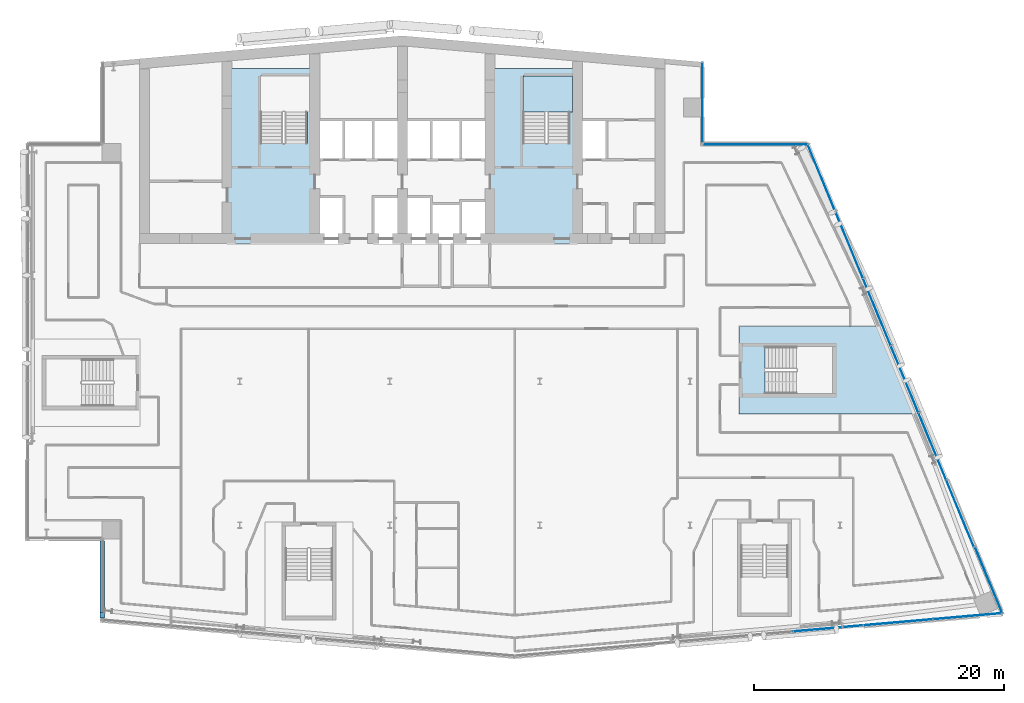
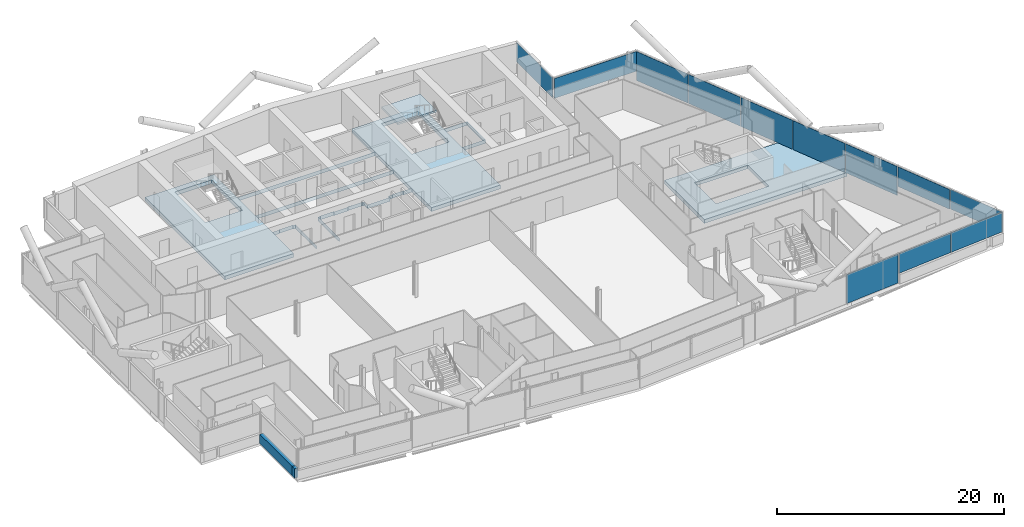
# One storey, part 13 of 28: 12 plates, 3 slabs, 2 walls, 5 elements without a shape of their own.
"""IFC4 building model written with IfcOpenShell, lengths in metres."""

from ifc_helpers import new_model, si_unit, direction, frame, frame_2d, origin, origin_2d, place, context, subcontext, project, spatial, polyline, rectangle, outline, extrude, material, layer, layer_set, type_object, element, aggregate, save


model = new_model("IFC4")

# Units and contexts
model_context = context("Model", 3, precision=1e-05, world=origin(), true_north=direction((0.0, 1.0)))
body_context = subcontext(model_context, "Body", "Model", "MODEL_VIEW")
ifc_project = project(units=[si_unit("LENGTHUNIT", "METRE"), si_unit("AREAUNIT", "SQUARE_METRE"), si_unit("VOLUMEUNIT", "CUBIC_METRE"), si_unit("PLANEANGLEUNIT", "RADIAN"), si_unit("MASSUNIT", "GRAM", prefix="KILO")], contexts=[model_context])

# Site, building, storey
site_placement = place(None, origin())
site = spatial("IfcSite", under=ifc_project, at=site_placement, CompositionType="ELEMENT")
building_placement = place(site_placement, origin())
building = spatial("IfcBuilding", under=site, at=building_placement, Name="Wharfspan Tower", CompositionType="ELEMENT")
storey_placement = place(building_placement, frame((0.0, 0.0, 187.899902)))
storey = spatial("IfcBuildingStorey", under=building, at=storey_placement, Name="L46", CompositionType="ELEMENT", Elevation=187.899902)

# Curtain wall, plates
ifc_material_1 = material(Name="Aluminium 6063-T6", Category="aluminium")
curtain_wall_type_1 = type_object("IfcCurtainWallType", Name="CURTAIN WALL FACETED FRONT", PredefinedType="NOTDEFINED", material=ifc_material_1)
curtain_wall_1_placement = place(storey_placement, origin())
curtain_wall_1 = element("IfcCurtainWall", 1, at=curtain_wall_1_placement, inside=storey, type_object=curtain_wall_type_1, Name="Curtain wall S2", PredefinedType="NOTDEFINED")
ifc_material_2 = material(Name="Glass clear low-iron double glazing", Category="glass")
ifc_layer_1 = layer(ifc_material_2, 0.040039)
ifc_layer_set_1 = layer_set([ifc_layer_1], Name="Glass clear low-iron double glazing")
plate_type_1 = type_object("IfcPlateType", Name="GLASS PANEL FACETED FRONT 40", PredefinedType="CURTAIN_PANEL", material=ifc_layer_set_1)
plate_1_placement = place(storey_placement, frame((76.637695, 3.728516, 1.0), z_axis=(0.0, 0.0, 1.0), x_axis=(0.996198, 0.087156, 0.0)))
plate_1 = element("IfcPlate", 2, at=plate_1_placement, type_object=plate_type_1, Name="Curtain wall S2 panel 6", PredefinedType="CURTAIN_PANEL", context=body_context, shape_type="SweptSolid", body=[
    extrude(rectangle(XDim=5.532715, YDim=0.040039, at=origin_2d()), origin(), (0.0, 0.0, 1.0), 2.120117),
])
plate_2_placement = place(storey_placement, frame((82.194092, 4.214844, 1.0), z_axis=(0.0, 0.0, 1.0), x_axis=(0.996198, 0.087156, 0.0)))
plate_2 = element("IfcPlate", 3, at=plate_2_placement, type_object=plate_type_1, Name="Curtain wall S2 panel 7", PredefinedType="CURTAIN_PANEL", context=body_context, shape_type="SweptSolid", body=[
    extrude(rectangle(XDim=5.502686, YDim=0.040039, at=origin_2d()), origin(), (0.0, 0.0, 1.0), 2.120117),
])

curtain_wall_type_2 = type_object("IfcCurtainWallType", Name="CURTAIN WALL PROW AND END", PredefinedType="NOTDEFINED", material=ifc_material_1)
curtain_wall_2_placement = place(storey_placement, origin())
curtain_wall_2 = element("IfcCurtainWall", 4, at=curtain_wall_2_placement, inside=storey, type_object=curtain_wall_type_2, Name="Curtain wall E", PredefinedType="NOTDEFINED")
ifc_layer_2 = layer(ifc_material_2, 0.040039)
ifc_layer_set_2 = layer_set([ifc_layer_2], Name="Glass clear low-iron double glazing")
plate_type_2 = type_object("IfcPlateType", Name="GLASS PANEL PROW AND END 40", PredefinedType="CURTAIN_PANEL", material=ifc_layer_set_2)
plate_3_placement = place(storey_placement, frame((83.885498, 7.099609, 1.0), z_axis=(0.0, 0.0, 1.0), x_axis=(-0.381602, 0.924325, 0.0)))
plate_3 = element("IfcPlate", 5, at=plate_3_placement, type_object=plate_type_2, Name="Curtain wall E panel 1", PredefinedType="CURTAIN_PANEL", context=body_context, shape_type="SweptSolid", body=[
    extrude(rectangle(XDim=5.721191, YDim=0.040039, at=origin_2d()), origin(), (0.0, 0.0, 1.0), 2.120117),
])
plate_4_placement = place(storey_placement, frame((81.599609, 12.426514, 1.0), z_axis=(0.0, 0.0, 1.0), x_axis=(-0.381602, 0.924325, 0.0)))
plate_4 = element("IfcPlate", 6, at=plate_4_placement, type_object=plate_type_2, Name="Curtain wall E panel 2", PredefinedType="CURTAIN_PANEL", context=body_context, shape_type="SweptSolid", body=[
    extrude(rectangle(XDim=5.751221, YDim=0.040039, at=origin_2d()), origin(), (0.0, 0.0, 1.0), 2.120117),
])

# Curtain wall, plate
curtain_wall_3_placement = place(storey_placement, origin())
curtain_wall_3 = element("IfcCurtainWall", 7, at=curtain_wall_3_placement, inside=storey, type_object=curtain_wall_type_2, Name="Curtain wall NRE-H", PredefinedType="NOTDEFINED")
plate_5_placement = place(storey_placement, frame((65.238525, 41.919922, 1.0), z_axis=(0.0, 0.0, 1.0), x_axis=(-1.0, 0.0, 0.0)))
plate_5 = element("IfcPlate", 8, at=plate_5_placement, type_object=plate_type_2, Name="Curtain wall NRE-H panel 1", PredefinedType="CURTAIN_PANEL", context=body_context, shape_type="SweptSolid", body=[
    extrude(rectangle(XDim=8.357178, YDim=0.040039, at=origin_2d()), origin(), (0.0, 0.0, 1.0), 2.120117),
])
aggregate(curtain_wall_3, [plate_5])

curtain_wall_4_placement = place(storey_placement, origin())
curtain_wall_4 = element("IfcCurtainWall", 9, at=curtain_wall_4_placement, inside=storey, type_object=curtain_wall_type_2, Name="Curtain wall NRE-V", PredefinedType="NOTDEFINED")
plate_6_placement = place(storey_placement, frame((61.0, 45.262451, 1.0), z_axis=(0.0, 0.0, 1.0), x_axis=(0.0, 1.0, 0.0)))
plate_6 = element("IfcPlate", 10, at=plate_6_placement, type_object=plate_type_2, Name="Curtain wall NRE-V panel 1", PredefinedType="CURTAIN_PANEL", context=body_context, shape_type="SweptSolid", body=[
    extrude(rectangle(XDim=6.405029, YDim=0.040039, at=origin_2d()), origin(), (0.0, 0.0, 1.0), 2.120117),
])
aggregate(curtain_wall_4, [plate_6])

# Plate
ifc_material_3 = material(Name="Aluminium composite opaque insulated panel", Category="aluminium")
ifc_layer_3 = layer(ifc_material_3, 0.040039)
ifc_layer_set_3 = layer_set([ifc_layer_3], Name="Aluminium composite opaque insulated panel")
plate_type_3 = type_object("IfcPlateType", Name="INFILL PANEL FACETED FRONT OPAQUE 40", PredefinedType="SHEET", material=ifc_layer_set_3)
plate_7_placement = place(storey_placement, frame((71.066162, 3.241211, 0.0), z_axis=(0.0, 0.0, 1.0), x_axis=(0.996198, 0.087156, 0.0)))
plate_7 = element("IfcPlate", 11, at=plate_7_placement, type_object=plate_type_3, Name="Curtain wall S2 panel 5", PredefinedType="SHEET", context=body_context, shape_type="SweptSolid", body=[
    extrude(rectangle(XDim=5.532715, YDim=0.040039, at=origin_2d()), origin(), (0.0, 0.0, 1.0), 3.120117),
])

aggregate(curtain_wall_1, [plate_7, plate_1, plate_2])

ifc_layer_4 = layer(ifc_material_3, 0.040039)
ifc_layer_set_4 = layer_set([ifc_layer_4], Name="Aluminium composite opaque insulated panel")
plate_type_4 = type_object("IfcPlateType", Name="INFILL PANEL PROW AND END OPAQUE 40", PredefinedType="SHEET", material=ifc_layer_set_4)
plate_8_placement = place(storey_placement, frame((79.38208, 17.798096, 0.0), z_axis=(0.0, 0.0, 1.0), x_axis=(-0.381602, 0.924325, 0.0)))
plate_8 = element("IfcPlate", 12, at=plate_8_placement, type_object=plate_type_4, Name="Curtain wall E panel 3", PredefinedType="SHEET", context=body_context, shape_type="SweptSolid", body=[
    extrude(rectangle(XDim=5.751221, YDim=0.040039, at=origin_2d()), origin(), (0.0, 0.0, 1.0), 3.120117),
])

plate_9_placement = place(storey_placement, frame((77.164551, 23.169434, 0.0), z_axis=(0.0, 0.0, 1.0), x_axis=(-0.381602, 0.924325, 0.0)))
plate_9 = element("IfcPlate", 13, at=plate_9_placement, type_object=plate_type_4, Name="Curtain wall E panel 4", PredefinedType="SHEET", context=body_context, shape_type="SweptSolid", body=[
    extrude(rectangle(XDim=5.751221, YDim=0.040039, at=origin_2d()), origin(), (0.0, 0.0, 1.0), 3.120117),
])

plate_10_placement = place(storey_placement, frame((74.947021, 28.541016, 0.0), z_axis=(0.0, 0.0, 1.0), x_axis=(-0.381602, 0.924325, 0.0)))
plate_10 = element("IfcPlate", 14, at=plate_10_placement, type_object=plate_type_4, Name="Curtain wall E panel 5", PredefinedType="SHEET", context=body_context, shape_type="SweptSolid", body=[
    extrude(rectangle(XDim=5.751221, YDim=0.040039, at=origin_2d()), origin(), (0.0, 0.0, 1.0), 3.120117),
])

plate_11_placement = place(storey_placement, frame((72.729492, 33.912354, 0.0), z_axis=(0.0, 0.0, 1.0), x_axis=(-0.381602, 0.924325, 0.0)))
plate_11 = element("IfcPlate", 15, at=plate_11_placement, type_object=plate_type_4, Name="Curtain wall E panel 6", PredefinedType="SHEET", context=body_context, shape_type="SweptSolid", body=[
    extrude(rectangle(XDim=5.751221, YDim=0.040039, at=origin_2d()), origin(), (0.0, 0.0, 1.0), 3.120117),
])

plate_12_placement = place(storey_placement, frame((70.517578, 39.269775, 0.0), z_axis=(0.0, 0.0, 1.0), x_axis=(-0.381602, 0.924325, 0.0)))
plate_12 = element("IfcPlate", 16, at=plate_12_placement, type_object=plate_type_4, Name="Curtain wall E panel 7", PredefinedType="SHEET", context=body_context, shape_type="SweptSolid", body=[
    extrude(rectangle(XDim=5.721191, YDim=0.040039, at=origin_2d()), origin(), (0.0, 0.0, 1.0), 3.120117),
])

aggregate(curtain_wall_2, [plate_3, plate_4, plate_8, plate_9, plate_10, plate_11, plate_12])

# Slabs
ifc_material_4 = material(Name="Concrete C40/50", Category="concrete")
ifc_layer_5 = layer(ifc_material_4, 0.399902)
ifc_layer_set_5 = layer_set([ifc_layer_5], Name="Concrete C40/50")
slab_type_1 = type_object("IfcSlabType", Name="Post-tensioned flat slab 400", PredefinedType="FLOOR", material=ifc_layer_set_5)
slab_1_placement = place(storey_placement, frame((0.0, 0.0, -0.400146)))
element("IfcSlab", 17, at=slab_1_placement, inside=storey, type_object=slab_type_1, Name="Core floor slab L46 part 3", PredefinedType="FLOOR", context=body_context, shape_type="SweptSolid", body=[
    extrude(outline(polyline([(23.0, 34.0), (29.998047, 34.0), (29.998047, 37.75), (29.998047, 37.750244), (29.998047, 37.750488), (29.998047, 37.750488), (29.998291, 37.750732), (29.998291, 37.750977), (29.998291, 37.751221), (29.998535, 37.751221), (29.998535, 37.751465), (29.998779, 37.751465), (29.998779, 37.751709), (29.999023, 37.751709), (29.999268, 37.751709), (29.999512, 37.751953), (29.999512, 37.751953), (29.999756, 37.751953), (30.0, 37.751953), (30.7146, 37.751953), (30.7146, 37.800049), (30.7146, 37.800293), (30.7146, 37.800293), (30.714844, 37.800537), (30.714844, 37.800781), (30.714844, 37.800781), (30.715088, 37.801025), (30.715088, 37.80127), (30.715332, 37.801514), (30.715332, 37.801514), (30.715576, 37.801758), (30.71582, 37.801758), (30.71582, 37.801758), (30.716064, 37.802002), (30.716309, 37.802002), (30.716553, 37.802002), (30.716797, 37.802002), (32.116699, 37.802002), (32.116943, 37.802002), (32.117188, 37.802002), (32.117188, 37.802002), (32.117432, 37.801758), (32.117676, 37.801758), (32.11792, 37.801758), (32.11792, 37.801514), (32.118164, 37.801514), (32.118164, 37.80127), (32.118408, 37.801025), (32.118408, 37.800781), (32.118408, 37.800781), (32.118652, 37.800537), (32.118652, 37.800293), (32.118652, 37.800293), (32.118652, 37.800049), (32.118652, 37.751953), (32.333252, 37.751953), (32.333496, 37.751953), (32.33374, 37.751953), (32.333984, 37.751953), (32.333984, 37.751709), (32.334229, 37.751709), (32.334473, 37.751709), (32.334717, 37.751465), (32.334717, 37.751465), (32.334961, 37.751221), (32.334961, 37.751221), (32.335205, 37.750977), (32.335205, 37.750732), (32.335205, 37.750488), (32.335205, 37.750488), (32.335205, 37.750244), (32.335205, 37.75), (32.335205, 34.0), (32.341309, 34.0), (32.341309, 37.758057), (32.126709, 37.758057), (32.126465, 37.758057), (32.126221, 37.758057), (32.126221, 37.758057), (32.125977, 37.758301), (32.125732, 37.758301), (32.125488, 37.758301), (32.125488, 37.758545), (32.125244, 37.758545), (32.125244, 37.758789), (32.125, 37.758789), (32.125, 37.759033), (32.125, 37.759277), (32.124756, 37.759521), (32.124756, 37.759521), (32.124756, 37.759766), (32.124756, 37.76001), (32.124756, 37.808105), (30.70874, 37.808105), (30.70874, 37.76001), (30.70874, 37.759766), (30.70874, 37.759521), (30.708496, 37.759521), (30.708496, 37.759277), (30.708496, 37.759033), (30.708496, 37.758789), (30.708252, 37.758789), (30.708008, 37.758545), (30.708008, 37.758545), (30.707764, 37.758301), (30.70752, 37.758301), (30.70752, 37.758301), (30.707275, 37.758057), (30.707031, 37.758057), (30.706787, 37.758057), (30.706787, 37.758057), (30.01001, 37.758057), (30.009766, 37.758057), (30.009521, 37.758057), (30.009521, 37.758057), (30.009277, 37.758301), (30.009033, 37.758301), (30.008789, 37.758301), (30.008789, 37.758545), (30.008545, 37.758545), (30.008545, 37.758789), (30.008301, 37.758789), (30.008301, 37.759033), (30.008301, 37.759277), (30.008057, 37.759521), (30.008057, 37.759521), (30.008057, 37.759766), (30.008057, 37.76001), (30.008057, 40.689941), (30.008057, 40.690186), (30.008057, 40.69043), (30.008057, 40.690674), (30.008301, 40.690918), (30.008301, 40.690918), (30.008301, 40.691162), (30.008545, 40.691406), (30.008545, 40.691406), (30.008789, 40.691406), (30.008789, 40.69165), (30.009033, 40.691895), (30.009277, 40.691895), (30.009521, 40.691895), (30.009521, 40.691895), (30.009766, 40.691895), (30.01001, 40.691895), (43.98999, 40.691895), (43.990234, 40.691895), (43.990479, 40.691895), (43.990479, 40.691895), (43.990723, 40.691895), (43.990967, 40.691895), (43.991211, 40.69165), (43.991211, 40.691406), (43.991455, 40.691406), (43.991455, 40.691406), (43.991699, 40.691162), (43.991699, 40.690918), (43.991699, 40.690918), (43.991943, 40.690674), (43.991943, 40.69043), (43.991943, 40.690186), (43.991943, 40.689941), (43.991943, 37.459961), (43.991943, 37.459717), (43.991943, 37.459717), (43.991943, 37.459473), (43.991699, 37.459229), (43.991699, 37.458984), (43.991699, 37.458984), (43.991455, 37.45874), (43.991455, 37.458496), (43.991211, 37.458496), (43.991211, 37.458252), (43.990967, 37.458252), (43.990723, 37.458252), (43.990479, 37.458008), (43.990479, 37.458008), (43.990234, 37.458008), (43.98999, 37.458008), (43.143311, 37.458008), (43.143066, 37.458008), (43.142822, 37.458008), (43.142578, 37.458008), (43.142578, 37.458252), (43.142334, 37.458252), (43.14209, 37.458252), (43.14209, 37.458496), (43.141846, 37.458496), (43.141846, 37.45874), (43.141602, 37.458984), (43.141602, 37.458984), (43.141602, 37.459229), (43.141357, 37.459473), (43.141357, 37.459717), (43.141357, 37.459717), (43.141357, 37.459961), (43.141357, 37.508057), (42.025391, 37.508057), (42.025391, 37.459961), (42.025391, 37.459717), (42.025391, 37.459717), (42.025146, 37.459473), (42.025146, 37.459229), (42.025146, 37.458984), (42.024902, 37.458984), (42.024902, 37.45874), (42.024658, 37.458496), (42.024658, 37.458496), (42.024414, 37.458252), (42.02417, 37.458252), (42.02417, 37.458252), (42.023926, 37.458008), (42.023682, 37.458008), (42.023438, 37.458008), (42.023193, 37.458008), (41.658691, 37.458008), (41.658691, 37.209961), (41.658691, 37.209717), (41.658691, 37.209717), (41.658691, 37.209473), (41.658447, 37.209229), (41.658447, 37.208984), (41.658447, 37.208984), (41.658203, 37.20874), (41.658203, 37.208496), (41.657959, 37.208496), (41.657715, 37.208252), (41.657715, 37.208252), (41.657471, 37.208252), (41.657227, 37.208008), (41.656982, 37.208008), (41.656982, 37.208008), (41.656738, 37.208008), (39.343262, 37.208008), (39.343018, 37.208008), (39.343018, 37.208008), (39.342773, 37.208008), (39.342529, 37.208252), (39.342285, 37.208252), (39.342285, 37.208252), (39.342041, 37.208496), (39.341797, 37.208496), (39.341797, 37.20874), (39.341553, 37.208984), (39.341553, 37.208984), (39.341553, 37.209229), (39.341309, 37.209473), (39.341309, 37.209717), (39.341309, 37.209717), (39.341309, 37.209961), (39.341309, 37.758057), (39.166748, 37.758057), (39.166504, 37.758057), (39.16626, 37.758057), (39.166016, 37.758057), (39.166016, 37.758301), (39.165771, 37.758301), (39.165527, 37.758301), (39.165283, 37.758545), (39.165283, 37.758545), (39.165283, 37.758789), (39.165039, 37.758789), (39.164795, 37.759033), (39.164795, 37.759277), (39.164795, 37.759521), (39.164795, 37.759521), (39.164795, 37.759766), (39.164795, 37.76001), (39.164795, 37.808105), (37.668701, 37.808105), (37.668701, 37.76001), (37.668701, 37.759766), (37.668701, 37.759521), (37.668701, 37.759521), (37.668457, 37.759277), (37.668457, 37.759033), (37.668457, 37.758789), (37.668213, 37.758789), (37.668213, 37.758545), (37.667969, 37.758545), (37.667725, 37.758301), (37.66748, 37.758301), (37.66748, 37.758301), (37.667236, 37.758057), (37.666992, 37.758057), (37.666992, 37.758057), (37.666748, 37.758057), (36.293213, 37.758057), (36.293213, 37.758057), (36.292969, 37.758057), (36.292725, 37.758057), (36.29248, 37.758301), (36.29248, 37.758301), (36.292236, 37.758301), (36.291992, 37.758545), (36.291992, 37.758545), (36.291748, 37.758789), (36.291504, 37.758789), (36.291504, 37.759033), (36.291504, 37.759277), (36.291504, 37.759521), (36.29126, 37.759521), (36.29126, 37.759766), (36.29126, 37.76001), (36.29126, 37.808105), (34.875244, 37.808105), (34.875244, 37.76001), (34.875244, 37.759766), (34.875244, 37.759521), (34.875244, 37.759521), (34.875, 37.759277), (34.875, 37.759033), (34.875, 37.758789), (34.874756, 37.758789), (34.874756, 37.758545), (34.874512, 37.758545), (34.874512, 37.758301), (34.874268, 37.758301), (34.874023, 37.758301), (34.873779, 37.758057), (34.873779, 37.758057), (34.873535, 37.758057), (34.873291, 37.758057), (34.658691, 37.758057), (34.658691, 34.0), (34.664795, 34.0), (34.664795, 37.75), (34.664795, 37.750244), (34.664795, 37.750488), (34.664795, 37.750488), (34.664795, 37.750732), (34.664795, 37.750977), (34.665039, 37.751221), (34.665039, 37.751221), (34.665283, 37.751465), (34.665283, 37.751465), (34.665527, 37.751709), (34.665771, 37.751709), (34.666016, 37.751709), (34.666016, 37.751953), (34.66626, 37.751953), (34.666504, 37.751953), (34.666748, 37.751953), (34.881348, 37.751953), (34.881348, 37.800049), (34.881348, 37.800293), (34.881348, 37.800293), (34.881348, 37.800537), (34.881592, 37.800781), (34.881592, 37.800781), (34.881592, 37.801025), (34.881836, 37.80127), (34.881836, 37.801514), (34.88208, 37.801514), (34.88208, 37.801758), (34.882324, 37.801758), (34.882568, 37.801758), (34.882812, 37.802002), (34.882812, 37.802002), (34.883057, 37.802002), (34.883301, 37.802002), (36.283203, 37.802002), (36.283447, 37.802002), (36.283691, 37.802002), (36.283936, 37.802002), (36.28418, 37.801758), (36.28418, 37.801758), (36.284424, 37.801758), (36.284668, 37.801514), (36.284668, 37.801514), (36.284912, 37.80127), (36.284912, 37.801025), (36.285156, 37.800781), (36.285156, 37.800781), (36.285156, 37.800537), (36.2854, 37.800293), (36.2854, 37.800293), (36.2854, 37.800049), (36.2854, 37.751953), (37.674805, 37.751953), (37.674805, 37.800049), (37.674805, 37.800293), (37.674805, 37.800293), (37.674805, 37.800537), (37.674805, 37.800781), (37.674805, 37.800781), (37.675049, 37.801025), (37.675049, 37.80127), (37.675293, 37.801514), (37.675293, 37.801514), (37.675537, 37.801758), (37.675781, 37.801758), (37.675781, 37.801758), (37.676025, 37.802002), (37.67627, 37.802002), (37.676514, 37.802002), (37.676758, 37.802002), (39.156738, 37.802002), (39.156982, 37.802002), (39.156982, 37.802002), (39.157227, 37.802002), (39.157471, 37.801758), (39.157715, 37.801758), (39.157715, 37.801758), (39.157959, 37.801514), (39.158203, 37.801514), (39.158203, 37.80127), (39.158203, 37.801025), (39.158447, 37.800781), (39.158447, 37.800781), (39.158691, 37.800537), (39.158691, 37.800293), (39.158691, 37.800293), (39.158691, 37.800049), (39.158691, 37.751953), (39.333252, 37.751953), (39.333496, 37.751953), (39.33374, 37.751953), (39.333984, 37.751953), (39.333984, 37.751709), (39.334229, 37.751709), (39.334473, 37.751709), (39.334717, 37.751465), (39.334717, 37.751465), (39.334961, 37.751221), (39.334961, 37.751221), (39.335205, 37.750977), (39.335205, 37.750732), (39.335205, 37.750488), (39.335205, 37.750488), (39.335205, 37.750244), (39.335205, 37.75), (39.335205, 37.201904), (41.664795, 37.201904), (41.664795, 37.449951), (41.664795, 37.450195), (41.664795, 37.450439), (41.664795, 37.450684), (41.664795, 37.450684), (41.664795, 37.450928), (41.665039, 37.451172), (41.665039, 37.451416), (41.665283, 37.451416), (41.665283, 37.451416), (41.665527, 37.45166), (41.665771, 37.451904), (41.666016, 37.451904), (41.666016, 37.451904), (41.66626, 37.451904), (41.666504, 37.451904), (41.666748, 37.451904), (42.03125, 37.451904), (42.03125, 37.5), (42.03125, 37.500244), (42.031494, 37.500488), (42.031494, 37.500488), (42.031494, 37.500732), (42.031494, 37.500977), (42.031738, 37.501221), (42.031738, 37.501221), (42.031982, 37.501465), (42.031982, 37.501465), (42.032227, 37.501709), (42.032471, 37.501709), (42.032715, 37.501709), (42.032715, 37.501953), (42.032959, 37.501953), (42.033203, 37.501953), (42.033203, 37.501953), (43.133301, 37.501953), (43.133545, 37.501953), (43.133789, 37.501953), (43.133789, 37.501953), (43.134033, 37.501709), (43.134277, 37.501709), (43.134521, 37.501709), (43.134521, 37.501465), (43.134766, 37.501465), (43.13501, 37.501221), (43.13501, 37.501221), (43.13501, 37.500977), (43.135254, 37.500732), (43.135254, 37.500488), (43.135254, 37.500488), (43.135254, 37.500244), (43.135254, 37.5), (43.135254, 37.451904), (44.0, 37.451904), (44.000244, 37.451904), (44.000488, 37.451904), (44.000488, 37.451904), (44.000732, 37.451904), (44.000977, 37.451904), (44.001221, 37.45166), (44.001221, 37.451416), (44.001465, 37.451416), (44.001465, 37.451416), (44.001709, 37.451172), (44.001709, 37.450928), (44.001709, 37.450684), (44.001953, 37.450684), (44.001953, 37.450439), (44.001953, 37.450195), (44.001953, 37.449951), (44.001953, 34.0), (51.0, 34.0), (51.008057, 34.0), (51.008057, 40.689941), (51.008057, 40.690186), (51.008057, 40.69043), (51.008057, 40.690674), (51.008301, 40.690918), (51.008301, 40.690918), (51.008301, 40.691162), (51.008545, 40.691406), (51.008545, 40.691406), (51.008789, 40.691406), (51.008789, 40.69165), (51.009033, 40.691895), (51.009277, 40.691895), (51.009521, 40.691895), (51.009521, 40.691895), (51.009766, 40.691895), (51.01001, 40.691895), (53.341309, 40.691895), (53.341309, 43.907959), (51.01001, 43.907959), (51.009766, 43.907959), (51.009521, 43.907959), (51.009521, 43.908203), (51.009277, 43.908203), (51.009033, 43.908203), (51.008789, 43.908203), (51.008789, 43.908447), (51.008545, 43.908691), (51.008545, 43.908691), (51.008301, 43.908936), (51.008301, 43.90918), (51.008301, 43.90918), (51.008057, 43.909424), (51.008057, 43.909668), (51.008057, 43.909912), (51.008057, 43.909912), (51.008057, 48.008057), (43.991943, 48.008057), (43.991943, 43.909912), (43.991943, 43.909912), (43.991943, 43.909668), (43.991943, 43.909424), (43.991699, 43.90918), (43.991699, 43.90918), (43.991699, 43.908936), (43.991455, 43.908691), (43.991455, 43.908691), (43.991211, 43.908447), (43.991211, 43.908203), (43.990967, 43.908203), (43.990723, 43.908203), (43.990479, 43.908203), (43.990479, 43.907959), (43.990234, 43.907959), (43.98999, 43.907959), (30.01001, 43.907959), (30.009766, 43.907959), (30.009521, 43.907959), (30.009521, 43.908203), (30.009277, 43.908203), (30.009033, 43.908203), (30.008789, 43.908203), (30.008789, 43.908447), (30.008545, 43.908691), (30.008545, 43.908691), (30.008301, 43.908936), (30.008301, 43.90918), (30.008301, 43.90918), (30.008057, 43.909424), (30.008057, 43.909668), (30.008057, 43.909912), (30.008057, 43.909912), (30.008057, 48.008057), (22.991943, 48.008057), (22.991943, 34.0), (23.0, 34.0)]), holes=[polyline([(53.333252, 43.9021), (53.333496, 43.9021), (53.33374, 43.9021), (53.333984, 43.901855), (53.333984, 43.901855), (53.334229, 43.901855), (53.334473, 43.901611), (53.334717, 43.901611), (53.334717, 43.901367), (53.334961, 43.901367), (53.334961, 43.901123), (53.335205, 43.900879), (53.335205, 43.900879), (53.335205, 43.900635), (53.335205, 43.900391), (53.335205, 43.900146), (53.335205, 43.899902), (53.335205, 40.699951), (53.335205, 40.699707), (53.335205, 40.699707), (53.335205, 40.699463), (53.335205, 40.699219), (53.335205, 40.699219), (53.334961, 40.698975), (53.334961, 40.69873), (53.334717, 40.698486), (53.334717, 40.698486), (53.334473, 40.698242), (53.334229, 40.698242), (53.333984, 40.698242), (53.333984, 40.697998), (53.33374, 40.697998), (53.333496, 40.697998), (53.333252, 40.697998), (51.0, 40.697998), (50.999756, 40.697998), (50.999512, 40.697998), (50.999512, 40.697998), (50.999268, 40.698242), (50.999023, 40.698242), (50.998779, 40.698242), (50.998779, 40.698486), (50.998535, 40.698486), (50.998535, 40.69873), (50.998291, 40.698975), (50.998291, 40.699219), (50.998291, 40.699219), (50.998047, 40.699463), (50.998047, 40.699707), (50.998047, 40.699707), (50.998047, 40.699951), (50.998047, 43.899902), (50.998047, 43.900146), (50.998047, 43.900391), (50.998047, 43.900635), (50.998291, 43.900879), (50.998291, 43.900879), (50.998291, 43.901123), (50.998535, 43.901367), (50.998535, 43.901367), (50.998779, 43.901611), (50.998779, 43.901611), (50.999023, 43.901855), (50.999268, 43.901855), (50.999512, 43.901855), (50.999512, 43.9021), (50.999756, 43.9021), (51.0, 43.9021), (53.333252, 43.9021)]), polyline([(46.649902, 41.998047), (46.649902, 41.998047), (46.649658, 41.998047), (46.649414, 41.998047), (46.64917, 41.998291), (46.64917, 41.998291), (46.648926, 41.998291), (46.648682, 41.998535), (46.648682, 41.998535), (46.648438, 41.998779), (46.648193, 41.998779), (46.648193, 41.999023), (46.648193, 41.999268), (46.648193, 41.999512), (46.647949, 41.999512), (46.647949, 41.999756), (46.647949, 42.0), (46.647949, 47.399902), (46.647949, 47.400146), (46.647949, 47.400391), (46.648193, 47.400635), (46.648193, 47.400879), (46.648193, 47.400879), (46.648193, 47.401123), (46.648438, 47.401367), (46.648682, 47.401367), (46.648682, 47.401611), (46.648926, 47.401611), (46.64917, 47.401855), (46.64917, 47.401855), (46.649414, 47.401855), (46.649658, 47.4021), (46.649902, 47.4021), (46.649902, 47.4021), (50.399902, 47.4021), (50.400146, 47.4021), (50.400391, 47.4021), (50.400635, 47.401855), (50.400879, 47.401855), (50.400879, 47.401855), (50.401123, 47.401611), (50.401367, 47.401611), (50.401367, 47.401367), (50.401611, 47.401367), (50.401611, 47.401123), (50.401855, 47.400879), (50.401855, 47.400879), (50.401855, 47.400635), (50.4021, 47.400391), (50.4021, 47.400146), (50.4021, 47.399902), (50.4021, 42.0), (50.4021, 41.999756), (50.4021, 41.999512), (50.401855, 41.999512), (50.401855, 41.999268), (50.401855, 41.999023), (50.401611, 41.998779), (50.401611, 41.998779), (50.401367, 41.998535), (50.401367, 41.998535), (50.401123, 41.998291), (50.400879, 41.998291), (50.400879, 41.998291), (50.400635, 41.998047), (50.400391, 41.998047), (50.400146, 41.998047), (50.399902, 41.998047), (46.649902, 41.998047)]), polyline([(44.0, 43.9021), (44.000244, 43.9021), (44.000488, 43.9021), (44.000488, 43.901855), (44.000732, 43.901855), (44.000977, 43.901855), (44.001221, 43.901611), (44.001221, 43.901611), (44.001465, 43.901367), (44.001465, 43.901367), (44.001709, 43.901123), (44.001709, 43.900879), (44.001709, 43.900879), (44.001953, 43.900635), (44.001953, 43.900391), (44.001953, 43.900146), (44.001953, 43.899902), (44.001953, 40.699951), (44.001953, 40.699707), (44.001953, 40.699707), (44.001953, 40.699463), (44.001709, 40.699219), (44.001709, 40.699219), (44.001709, 40.698975), (44.001465, 40.69873), (44.001465, 40.698486), (44.001221, 40.698486), (44.001221, 40.698242), (44.000977, 40.698242), (44.000732, 40.698242), (44.000488, 40.697998), (44.000488, 40.697998), (44.000244, 40.697998), (44.0, 40.697998), (30.0, 40.697998), (29.999756, 40.697998), (29.999512, 40.697998), (29.999512, 40.697998), (29.999268, 40.698242), (29.999023, 40.698242), (29.998779, 40.698242), (29.998779, 40.698486), (29.998535, 40.698486), (29.998535, 40.69873), (29.998291, 40.698975), (29.998291, 40.699219), (29.998291, 40.699219), (29.998047, 40.699463), (29.998047, 40.699707), (29.998047, 40.699707), (29.998047, 40.699951), (29.998047, 43.899902), (29.998047, 43.900146), (29.998047, 43.900391), (29.998047, 43.900635), (29.998291, 43.900879), (29.998291, 43.900879), (29.998291, 43.901123), (29.998535, 43.901367), (29.998535, 43.901367), (29.998779, 43.901611), (29.998779, 43.901611), (29.999023, 43.901855), (29.999268, 43.901855), (29.999512, 43.901855), (29.999512, 43.9021), (29.999756, 43.9021), (30.0, 43.9021), (44.0, 43.9021)]), polyline([(29.4021, 42.0), (29.4021, 41.999756), (29.4021, 41.999512), (29.401855, 41.999512), (29.401855, 41.999268), (29.401855, 41.999023), (29.401611, 41.998779), (29.401611, 41.998779), (29.401367, 41.998535), (29.401367, 41.998535), (29.401123, 41.998291), (29.400879, 41.998291), (29.400879, 41.998291), (29.400635, 41.998047), (29.400391, 41.998047), (29.400146, 41.998047), (29.399902, 41.998047), (25.649902, 41.998047), (25.649902, 41.998047), (25.649658, 41.998047), (25.649414, 41.998047), (25.64917, 41.998291), (25.64917, 41.998291), (25.648926, 41.998291), (25.648682, 41.998535), (25.648682, 41.998535), (25.648438, 41.998779), (25.648193, 41.998779), (25.648193, 41.999023), (25.648193, 41.999268), (25.648193, 41.999512), (25.647949, 41.999512), (25.647949, 41.999756), (25.647949, 42.0), (25.647949, 47.399902), (25.647949, 47.400146), (25.647949, 47.400391), (25.648193, 47.400635), (25.648193, 47.400879), (25.648193, 47.400879), (25.648193, 47.401123), (25.648438, 47.401367), (25.648682, 47.401367), (25.648682, 47.401611), (25.648926, 47.401611), (25.64917, 47.401855), (25.64917, 47.401855), (25.649414, 47.401855), (25.649658, 47.4021), (25.649902, 47.4021), (25.649902, 47.4021), (29.399902, 47.4021), (29.400146, 47.4021), (29.400391, 47.4021), (29.400635, 47.401855), (29.400879, 47.401855), (29.400879, 47.401855), (29.401123, 47.401611), (29.401367, 47.401611), (29.401367, 47.401367), (29.401611, 47.401367), (29.401611, 47.401123), (29.401855, 47.400879), (29.401855, 47.400879), (29.401855, 47.400635), (29.4021, 47.400391), (29.4021, 47.400146), (29.4021, 47.399902), (29.4021, 42.0)])]), origin(), (0.0, 0.0, 1.0), 0.400146),
])
slab_2_placement = place(storey_placement, frame((0.0, 0.0, -0.400146)))
element("IfcSlab", 18, at=slab_2_placement, inside=storey, type_object=slab_type_1, Name="Core floor slab L46 part 5", PredefinedType="FLOOR", context=body_context, shape_type="SweptSolid", body=[
    extrude(outline(polyline([(78.394531, 20.399902), (75.504639, 27.399902), (63.904541, 27.399902), (63.904541, 20.399902), (78.394531, 20.399902)]), holes=[polyline([(66.004639, 22.022949), (66.004395, 22.022949), (66.00415, 22.022949), (66.003906, 22.023193), (66.003906, 22.023193), (66.003662, 22.023193), (66.003418, 22.023193), (66.003418, 22.023438), (66.003174, 22.023682), (66.00293, 22.023682), (66.00293, 22.023926), (66.002686, 22.02417), (66.002686, 22.02417), (66.002686, 22.024414), (66.002686, 22.024658), (66.002686, 22.024902), (66.002686, 22.024902), (66.002686, 25.774902), (66.002686, 25.775146), (66.002686, 25.775391), (66.002686, 25.775635), (66.002686, 25.775879), (66.002686, 25.775879), (66.00293, 25.776123), (66.00293, 25.776367), (66.003174, 25.776367), (66.003418, 25.776611), (66.003418, 25.776611), (66.003662, 25.776855), (66.003906, 25.776855), (66.003906, 25.776855), (66.00415, 25.7771), (66.004395, 25.7771), (66.004639, 25.7771), (71.404541, 25.7771), (71.404785, 25.7771), (71.405029, 25.7771), (71.405273, 25.776855), (71.405518, 25.776855), (71.405518, 25.776855), (71.405762, 25.776611), (71.406006, 25.776611), (71.406006, 25.776367), (71.406006, 25.776367), (71.40625, 25.776123), (71.406494, 25.775879), (71.406494, 25.775879), (71.406494, 25.775635), (71.406494, 25.775391), (71.406494, 25.775146), (71.406494, 25.774902), (71.406494, 22.024902), (71.406494, 22.024902), (71.406494, 22.024658), (71.406494, 22.024414), (71.406494, 22.02417), (71.406494, 22.02417), (71.40625, 22.023926), (71.406006, 22.023682), (71.406006, 22.023682), (71.406006, 22.023438), (71.405762, 22.023193), (71.405518, 22.023193), (71.405518, 22.023193), (71.405273, 22.023193), (71.405029, 22.022949), (71.404785, 22.022949), (71.404541, 22.022949), (66.004639, 22.022949)])]), origin(), (0.0, 0.0, 1.0), 0.400146),
])

# Stair, slab
stair_type = type_object("IfcStairType", Name="Half-turn stair 20 risers 180 mm", PredefinedType="HALF_TURN_STAIR", material=ifc_material_4)
stair_placement = place(storey_placement, origin())
stair = element("IfcStair", 19, at=stair_placement, inside=storey, type_object=stair_type, Name="L46 stair ST2", PredefinedType="HALF_TURN_STAIR")
ifc_layer_6 = layer(ifc_material_4, 0.199951)
ifc_layer_set_6 = layer_set([ifc_layer_6], Name="Concrete C40/50")
slab_type_2 = type_object("IfcSlabType", Name="Stair landing 200", PredefinedType="LANDING", material=ifc_layer_set_6)
slab_3_placement = place(storey_placement, frame((0.0, 0.0, 1.599854)))
slab_3 = element("IfcSlab", 20, at=slab_3_placement, type_object=slab_type_2, Name="ST2 landing 1", PredefinedType="LANDING", context=body_context, shape_type="SweptSolid", body=[
    extrude(outline(polyline([(46.649902, 44.52002), (50.600098, 44.52002), (50.600098, 47.399902), (46.649902, 47.399902), (46.649902, 44.52002)])), origin(), (0.0, 0.0, 1.0), 0.200195),
])
aggregate(stair, [slab_3])

# Walls
ifc_layer_7 = layer(ifc_material_4, 0.350098)
ifc_layer_set_7 = layer_set([ifc_layer_7], Name="Concrete C40/50")
wall_type = type_object("IfcWallType", Name="SPANDREL EXPOSED CONCRETE 350", PredefinedType="SOLIDWALL", material=ifc_layer_set_7)
wall_1_placement = place(storey_placement, frame((12.995117, 10.219971, 0.0), z_axis=(0.0, 0.0, 1.0), x_axis=(0.0, -1.0, 0.0)))
element("IfcWall", 21, at=wall_1_placement, inside=storey, type_object=wall_type, Name="Spandrel upstand L46 NFW-V", PredefinedType="SOLIDWALL", context=body_context, shape_type="SweptSolid", body=[
    extrude(rectangle(XDim=5.693359, YDim=0.350098, at=frame_2d((2.84668, 0.0))), origin(), (0.0, 0.0, 1.0), 1.0),
])
wall_2_placement = place(storey_placement, frame((12.995117, 4.512451, 0.0), z_axis=(0.0, 0.0, 1.0), x_axis=(0.0, -1.0, 0.0)))
element("IfcWall", 22, at=wall_2_placement, inside=storey, type_object=wall_type, Name="Spandrel upstand L46 NFW-V 2", PredefinedType="SOLIDWALL", context=body_context, shape_type="SweptSolid", body=[
    extrude(rectangle(XDim=0.453613, YDim=0.350098, at=frame_2d((0.226807, 0.0))), origin(), (0.0, 0.0, 1.0), 1.0),
])

save(model, "model.ifc")
